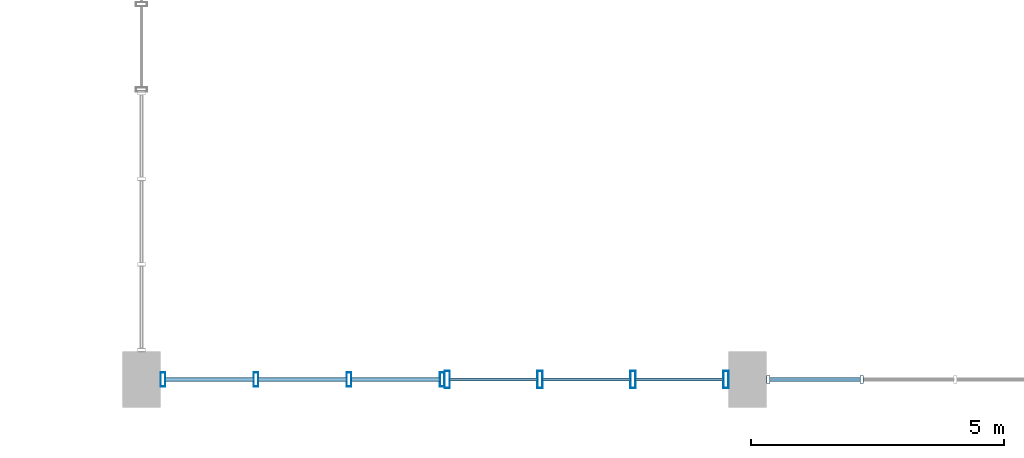
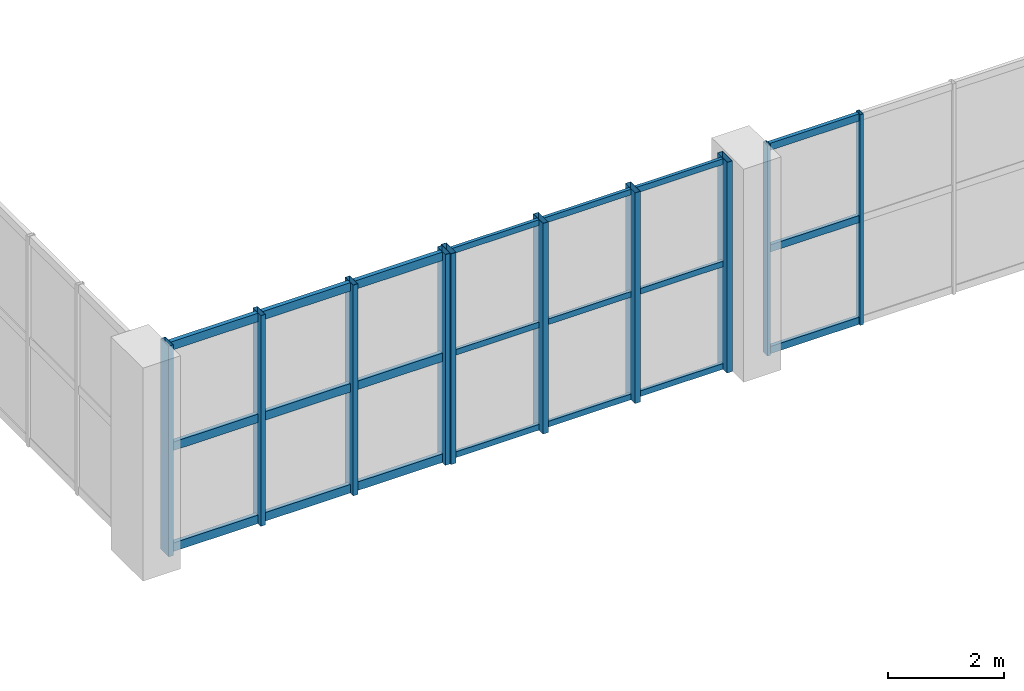
# One storey, part 40 of 80: 31 members, 3 elements without a shape of their own.
"""IFC4 building model written with IfcOpenShell, lengths in metres."""

from ifc_helpers import new_model, si_unit, direction, frame, origin, origin_2d, place, context, subcontext, project, spatial, hollow_rectangle, extrude, material, layer, layer_set, material_profile, profile_set, type_object, element, aggregate, save


model = new_model("IFC4")

# Units and contexts
model_context = context("Model", 3, precision=1e-05, world=origin(), true_north=direction((0.0, 1.0)))
body_context = subcontext(model_context, "Body", "Model", "MODEL_VIEW")
ifc_project = project(units=[si_unit("LENGTHUNIT", "METRE"), si_unit("AREAUNIT", "SQUARE_METRE"), si_unit("VOLUMEUNIT", "CUBIC_METRE"), si_unit("PLANEANGLEUNIT", "RADIAN"), si_unit("MASSUNIT", "GRAM", prefix="KILO"), si_unit("POWERUNIT", "WATT"), si_unit("THERMODYNAMICTEMPERATUREUNIT", "KELVIN")], contexts=[model_context])

# Site, building, storey
site_placement = place(None, origin())
site = spatial("IfcSite", under=ifc_project, at=site_placement, CompositionType="ELEMENT")
building_placement = place(site_placement, origin())
building = spatial("IfcBuilding", under=site, at=building_placement, Name="Kelmbourne Parkland Aquatics Centre", CompositionType="ELEMENT")
storey_placement = place(building_placement, frame((0.0, 0.0, 10.199951171875)))
storey = spatial("IfcBuildingStorey", under=building, at=storey_placement, Name="L02", CompositionType="ELEMENT", Elevation=10.199951171875)

# Curtain wall, members
ifc_material = material(Name="Thermally broken anodised aluminium framing", Category="aluminium")
ifc_layer_1 = layer(ifc_material, 0.179931640625)
ifc_layer_set_1 = layer_set([ifc_layer_1], Name="Thermally broken anodised aluminium framing")
curtain_wall_type_1 = type_object("IfcCurtainWallType", Name="CW-19", PredefinedType="NOTDEFINED", material=ifc_layer_set_1)
curtain_wall_1_placement = place(storey_placement, origin())
curtain_wall_1 = element("IfcCurtainWall", 1, at=curtain_wall_1_placement, inside=storey, type_object=curtain_wall_type_1, Name="Wave-hall clerestory curtain wall CW-L02-115", PredefinedType="NOTDEFINED")
ifc_material_profile_1 = material_profile(ifc_material, hollow_rectangle(XDim=0.06494140625, YDim=0.14990234375, WallThickness=0.00390625, at=origin_2d()), Name="CW-M 65x150")
ifc_profile_set_1 = profile_set([ifc_material_profile_1], Name="Thermally broken anodised aluminium framing")
member_type_1 = type_object("IfcMemberType", Name="MB-MUL-1", PredefinedType="MULLION", material=ifc_profile_set_1)
member_1_placement = place(storey_placement, frame((140.409423828125, 0.800048828125, 0.0), z_axis=(0.0, 0.0, 1.0), x_axis=(1.0, 0.0, 0.0)))
member_1 = element("IfcMember", 2, at=member_1_placement, type_object=member_type_1, Name="CW-L02-115 mullion 0", PredefinedType="MULLION", context=body_context, shape_type="SweptSolid", body=[
    extrude(hollow_rectangle(XDim=0.06494140625, YDim=0.14990234375, WallThickness=0.00390625, at=origin_2d()), origin(), (0.0, 0.0, 1.0), 4.449951171875),
])
member_2_placement = place(storey_placement, frame((142.26220703125, 0.800048828125, 0.0), z_axis=(0.0, 0.0, 1.0), x_axis=(1.0, 0.0, 0.0)))
member_2 = element("IfcMember", 3, at=member_2_placement, type_object=member_type_1, Name="CW-L02-115 mullion 1", PredefinedType="MULLION", context=body_context, shape_type="SweptSolid", body=[
    extrude(hollow_rectangle(XDim=0.06494140625, YDim=0.14990234375, WallThickness=0.00390625, at=origin_2d()), origin(), (0.0, 0.0, 1.0), 4.449951171875),
])

ifc_layer_2 = layer(ifc_material, 0.179931640625)
ifc_layer_set_2 = layer_set([ifc_layer_2], Name="Thermally broken anodised aluminium framing")
curtain_wall_type_2 = type_object("IfcCurtainWallType", Name="CW-17", PredefinedType="NOTDEFINED", material=ifc_layer_set_2)
curtain_wall_2_placement = place(storey_placement, origin())
curtain_wall_2 = element("IfcCurtainWall", 4, at=curtain_wall_2_placement, inside=storey, type_object=curtain_wall_type_2, Name="Wave-hall clerestory curtain wall CW-L02-113", PredefinedType="NOTDEFINED")
ifc_material_profile_2 = material_profile(ifc_material, hollow_rectangle(XDim=0.094970703125, YDim=0.280029296875, WallThickness=0.005615234375, at=origin_2d()), Name="CW-M 95x280")
ifc_profile_set_2 = profile_set([ifc_material_profile_2], Name="Thermally broken anodised aluminium framing")
member_type_2 = type_object("IfcMemberType", Name="MB-MUL-4", PredefinedType="MULLION", material=ifc_profile_set_2)
member_3_placement = place(storey_placement, frame((128.424560546875, 0.800048828125, 0.0), z_axis=(0.0, 0.0, 1.0), x_axis=(1.0, 0.0, 0.0)))
member_3 = element("IfcMember", 5, at=member_3_placement, type_object=member_type_2, Name="CW-L02-113 mullion 0", PredefinedType="MULLION", context=body_context, shape_type="SweptSolid", body=[
    extrude(hollow_rectangle(XDim=0.094970703125, YDim=0.280029296875, WallThickness=0.005615234375, at=origin_2d()), origin(), (0.0, 0.0, 1.0), 4.449951171875),
])
member_4_placement = place(storey_placement, frame((130.26708984375, 0.800048828125, 0.0), z_axis=(0.0, 0.0, 1.0), x_axis=(1.0, 0.0, 0.0)))
member_4 = element("IfcMember", 6, at=member_4_placement, type_object=member_type_2, Name="CW-L02-113 mullion 1", PredefinedType="MULLION", context=body_context, shape_type="SweptSolid", body=[
    extrude(hollow_rectangle(XDim=0.094970703125, YDim=0.280029296875, WallThickness=0.005615234375, at=origin_2d()), origin(), (0.0, 0.0, 1.0), 4.449951171875),
])
member_5_placement = place(storey_placement, frame((132.10986328125, 0.800048828125, 0.0), z_axis=(0.0, 0.0, 1.0), x_axis=(1.0, 0.0, 0.0)))
member_5 = element("IfcMember", 7, at=member_5_placement, type_object=member_type_2, Name="CW-L02-113 mullion 2", PredefinedType="MULLION", context=body_context, shape_type="SweptSolid", body=[
    extrude(hollow_rectangle(XDim=0.094970703125, YDim=0.280029296875, WallThickness=0.005615234375, at=origin_2d()), origin(), (0.0, 0.0, 1.0), 4.449951171875),
])
member_6_placement = place(storey_placement, frame((133.952392578125, 0.800048828125, 0.0), z_axis=(0.0, 0.0, 1.0), x_axis=(1.0, 0.0, 0.0)))
member_6 = element("IfcMember", 8, at=member_6_placement, type_object=member_type_2, Name="CW-L02-113 mullion 3", PredefinedType="MULLION", context=body_context, shape_type="SweptSolid", body=[
    extrude(hollow_rectangle(XDim=0.094970703125, YDim=0.280029296875, WallThickness=0.005615234375, at=origin_2d()), origin(), (0.0, 0.0, 1.0), 4.449951171875),
])

ifc_layer_3 = layer(ifc_material, 0.179931640625)
ifc_layer_set_3 = layer_set([ifc_layer_3], Name="Thermally broken anodised aluminium framing")
curtain_wall_type_3 = type_object("IfcCurtainWallType", Name="CW-18", PredefinedType="NOTDEFINED", material=ifc_layer_set_3)
curtain_wall_3_placement = place(storey_placement, origin())
curtain_wall_3 = element("IfcCurtainWall", 9, at=curtain_wall_3_placement, inside=storey, type_object=curtain_wall_type_3, Name="Wave-hall clerestory curtain wall CW-L02-114", PredefinedType="NOTDEFINED")
ifc_material_profile_3 = material_profile(ifc_material, hollow_rectangle(XDim=0.10498046875, YDim=0.340087890625, WallThickness=0.006103515625, at=origin_2d()), Name="CW-M 105x340")
ifc_profile_set_3 = profile_set([ifc_material_profile_3], Name="Thermally broken anodised aluminium framing")
member_type_3 = type_object("IfcMemberType", Name="MB-MUL-5", PredefinedType="MULLION", material=ifc_profile_set_3)
member_7_placement = place(storey_placement, frame((134.052490234375, 0.800048828125, 0.0), z_axis=(0.0, 0.0, 1.0), x_axis=(1.0, 0.0, 0.0)))
member_7 = element("IfcMember", 10, at=member_7_placement, type_object=member_type_3, Name="CW-L02-114 mullion 0", PredefinedType="MULLION", context=body_context, shape_type="SweptSolid", body=[
    extrude(hollow_rectangle(XDim=0.10498046875, YDim=0.340087890625, WallThickness=0.006103515625, at=origin_2d()), origin(), (0.0, 0.0, 1.0), 4.449951171875),
])
member_8_placement = place(storey_placement, frame((135.891845703125, 0.800048828125, 0.0), z_axis=(0.0, 0.0, 1.0), x_axis=(1.0, 0.0, 0.0)))
member_8 = element("IfcMember", 11, at=member_8_placement, type_object=member_type_3, Name="CW-L02-114 mullion 1", PredefinedType="MULLION", context=body_context, shape_type="SweptSolid", body=[
    extrude(hollow_rectangle(XDim=0.10498046875, YDim=0.340087890625, WallThickness=0.006103515625, at=origin_2d()), origin(), (0.0, 0.0, 1.0), 4.449951171875),
])
member_9_placement = place(storey_placement, frame((137.731201171875, 0.800048828125, 0.0), z_axis=(0.0, 0.0, 1.0), x_axis=(1.0, 0.0, 0.0)))
member_9 = element("IfcMember", 12, at=member_9_placement, type_object=member_type_3, Name="CW-L02-114 mullion 2", PredefinedType="MULLION", context=body_context, shape_type="SweptSolid", body=[
    extrude(hollow_rectangle(XDim=0.10498046875, YDim=0.340087890625, WallThickness=0.006103515625, at=origin_2d()), origin(), (0.0, 0.0, 1.0), 4.449951171875),
])
member_10_placement = place(storey_placement, frame((139.570556640625, 0.800048828125, 0.0), z_axis=(0.0, 0.0, 1.0), x_axis=(1.0, 0.0, 0.0)))
member_10 = element("IfcMember", 13, at=member_10_placement, type_object=member_type_3, Name="CW-L02-114 mullion 3", PredefinedType="MULLION", context=body_context, shape_type="SweptSolid", body=[
    extrude(hollow_rectangle(XDim=0.10498046875, YDim=0.340087890625, WallThickness=0.006103515625, at=origin_2d()), origin(), (0.0, 0.0, 1.0), 4.449951171875),
])
ifc_material_profile_4 = material_profile(ifc_material, hollow_rectangle(XDim=0.06494140625, YDim=0.1201171875, WallThickness=0.00341796875, at=origin_2d()), Name="CW-T 65x120")
ifc_profile_set_4 = profile_set([ifc_material_profile_4], Name="Thermally broken anodised aluminium framing")
member_type_4 = type_object("IfcMemberType", Name="MB-TRN-1", PredefinedType="USERDEFINED", material=ifc_profile_set_4)
member_11_placement = place(storey_placement, frame((134.10107421875, 0.800048828125, 0.06298828125), z_axis=(1.0, 0.0, 0.0), x_axis=(0.0, 1.0, 0.0)))
member_11 = element("IfcMember", 14, at=member_11_placement, type_object=member_type_4, Name="CW-L02-114 transom 0-0", ObjectType="TRANSOM", PredefinedType="USERDEFINED", context=body_context, shape_type="SweptSolid", body=[
    extrude(hollow_rectangle(XDim=0.06494140625, YDim=0.1201171875, WallThickness=0.00341796875, at=origin_2d()), origin(), (0.0, 0.0, 1.0), 1.7421875),
])
member_12_placement = place(storey_placement, frame((135.940185546875, 0.800048828125, 0.06298828125), z_axis=(1.0, 0.0, 0.0), x_axis=(0.0, 1.0, 0.0)))
member_12 = element("IfcMember", 15, at=member_12_placement, type_object=member_type_4, Name="CW-L02-114 transom 0-1", ObjectType="TRANSOM", PredefinedType="USERDEFINED", context=body_context, shape_type="SweptSolid", body=[
    extrude(hollow_rectangle(XDim=0.06494140625, YDim=0.1201171875, WallThickness=0.00341796875, at=origin_2d()), origin(), (0.0, 0.0, 1.0), 1.742431640625),
])
member_13_placement = place(storey_placement, frame((137.77978515625, 0.800048828125, 0.06298828125), z_axis=(1.0, 0.0, 0.0), x_axis=(0.0, 1.0, 0.0)))
member_13 = element("IfcMember", 16, at=member_13_placement, type_object=member_type_4, Name="CW-L02-114 transom 0-2", ObjectType="TRANSOM", PredefinedType="USERDEFINED", context=body_context, shape_type="SweptSolid", body=[
    extrude(hollow_rectangle(XDim=0.06494140625, YDim=0.1201171875, WallThickness=0.00341796875, at=origin_2d()), origin(), (0.0, 0.0, 1.0), 1.7421875),
])
member_14_placement = place(storey_placement, frame((134.10107421875, 0.800048828125, 2.22509765625), z_axis=(1.0, 0.0, 0.0), x_axis=(0.0, 1.0, 0.0)))
member_14 = element("IfcMember", 17, at=member_14_placement, type_object=member_type_4, Name="CW-L02-114 transom 1-0", ObjectType="TRANSOM", PredefinedType="USERDEFINED", context=body_context, shape_type="SweptSolid", body=[
    extrude(hollow_rectangle(XDim=0.06494140625, YDim=0.1201171875, WallThickness=0.00341796875, at=origin_2d()), origin(), (0.0, 0.0, 1.0), 1.7421875),
])
member_15_placement = place(storey_placement, frame((135.940185546875, 0.800048828125, 2.22509765625), z_axis=(1.0, 0.0, 0.0), x_axis=(0.0, 1.0, 0.0)))
member_15 = element("IfcMember", 18, at=member_15_placement, type_object=member_type_4, Name="CW-L02-114 transom 1-1", ObjectType="TRANSOM", PredefinedType="USERDEFINED", context=body_context, shape_type="SweptSolid", body=[
    extrude(hollow_rectangle(XDim=0.06494140625, YDim=0.1201171875, WallThickness=0.00341796875, at=origin_2d()), origin(), (0.0, 0.0, 1.0), 1.742431640625),
])
member_16_placement = place(storey_placement, frame((137.77978515625, 0.800048828125, 2.22509765625), z_axis=(1.0, 0.0, 0.0), x_axis=(0.0, 1.0, 0.0)))
member_16 = element("IfcMember", 19, at=member_16_placement, type_object=member_type_4, Name="CW-L02-114 transom 1-2", ObjectType="TRANSOM", PredefinedType="USERDEFINED", context=body_context, shape_type="SweptSolid", body=[
    extrude(hollow_rectangle(XDim=0.06494140625, YDim=0.1201171875, WallThickness=0.00341796875, at=origin_2d()), origin(), (0.0, 0.0, 1.0), 1.7421875),
])
member_17_placement = place(storey_placement, frame((134.10107421875, 0.800048828125, 4.386962890625), z_axis=(1.0, 0.0, 0.0), x_axis=(0.0, 1.0, 0.0)))
member_17 = element("IfcMember", 20, at=member_17_placement, type_object=member_type_4, Name="CW-L02-114 transom 2-0", ObjectType="TRANSOM", PredefinedType="USERDEFINED", context=body_context, shape_type="SweptSolid", body=[
    extrude(hollow_rectangle(XDim=0.06494140625, YDim=0.1201171875, WallThickness=0.00341796875, at=origin_2d()), origin(), (0.0, 0.0, 1.0), 1.7421875),
])
member_18_placement = place(storey_placement, frame((135.940185546875, 0.800048828125, 4.386962890625), z_axis=(1.0, 0.0, 0.0), x_axis=(0.0, 1.0, 0.0)))
member_18 = element("IfcMember", 21, at=member_18_placement, type_object=member_type_4, Name="CW-L02-114 transom 2-1", ObjectType="TRANSOM", PredefinedType="USERDEFINED", context=body_context, shape_type="SweptSolid", body=[
    extrude(hollow_rectangle(XDim=0.06494140625, YDim=0.1201171875, WallThickness=0.00341796875, at=origin_2d()), origin(), (0.0, 0.0, 1.0), 1.742431640625),
])
member_19_placement = place(storey_placement, frame((137.77978515625, 0.800048828125, 4.386962890625), z_axis=(1.0, 0.0, 0.0), x_axis=(0.0, 1.0, 0.0)))
member_19 = element("IfcMember", 22, at=member_19_placement, type_object=member_type_4, Name="CW-L02-114 transom 2-2", ObjectType="TRANSOM", PredefinedType="USERDEFINED", context=body_context, shape_type="SweptSolid", body=[
    extrude(hollow_rectangle(XDim=0.06494140625, YDim=0.1201171875, WallThickness=0.00341796875, at=origin_2d()), origin(), (0.0, 0.0, 1.0), 1.7421875),
])
aggregate(curtain_wall_3, [member_7, member_8, member_9, member_10, member_11, member_12, member_13, member_14, member_15, member_16, member_17, member_18, member_19])

# Member
ifc_material_profile_5 = material_profile(ifc_material, hollow_rectangle(XDim=0.074951171875, YDim=0.14990234375, WallThickness=0.00390625, at=origin_2d()), Name="CW-T 75x150")
ifc_profile_set_5 = profile_set([ifc_material_profile_5], Name="Thermally broken anodised aluminium framing")
member_type_5 = type_object("IfcMemberType", Name="MB-TRN-2", PredefinedType="USERDEFINED", material=ifc_profile_set_5)
member_20_placement = place(storey_placement, frame((140.43798828125, 0.800048828125, 0.078125), z_axis=(1.0, 0.0, 0.0), x_axis=(0.0, 1.0, 0.0)))
member_20 = element("IfcMember", 23, at=member_20_placement, type_object=member_type_5, Name="CW-L02-115 transom 0-0", ObjectType="TRANSOM", PredefinedType="USERDEFINED", context=body_context, shape_type="SweptSolid", body=[
    extrude(hollow_rectangle(XDim=0.074951171875, YDim=0.14990234375, WallThickness=0.00390625, at=origin_2d()), origin(), (0.0, 0.0, 1.0), 1.795654296875),
])

member_21_placement = place(storey_placement, frame((140.43798828125, 0.800048828125, 2.22509765625), z_axis=(1.0, 0.0, 0.0), x_axis=(0.0, 1.0, 0.0)))
member_21 = element("IfcMember", 24, at=member_21_placement, type_object=member_type_5, Name="CW-L02-115 transom 1-0", ObjectType="TRANSOM", PredefinedType="USERDEFINED", context=body_context, shape_type="SweptSolid", body=[
    extrude(hollow_rectangle(XDim=0.074951171875, YDim=0.14990234375, WallThickness=0.00390625, at=origin_2d()), origin(), (0.0, 0.0, 1.0), 1.795654296875),
])

member_22_placement = place(storey_placement, frame((140.43798828125, 0.800048828125, 4.3720703125), z_axis=(1.0, 0.0, 0.0), x_axis=(0.0, 1.0, 0.0)))
member_22 = element("IfcMember", 25, at=member_22_placement, type_object=member_type_5, Name="CW-L02-115 transom 2-0", ObjectType="TRANSOM", PredefinedType="USERDEFINED", context=body_context, shape_type="SweptSolid", body=[
    extrude(hollow_rectangle(XDim=0.074951171875, YDim=0.14990234375, WallThickness=0.00390625, at=origin_2d()), origin(), (0.0, 0.0, 1.0), 1.795654296875),
])

aggregate(curtain_wall_1, [member_1, member_2, member_20, member_21, member_22])

ifc_material_profile_6 = material_profile(ifc_material, hollow_rectangle(XDim=0.0849609375, YDim=0.179931640625, WallThickness=0.00439453125, at=origin_2d()), Name="CW-T 85x180")
ifc_profile_set_6 = profile_set([ifc_material_profile_6], Name="Thermally broken anodised aluminium framing")
member_type_6 = type_object("IfcMemberType", Name="MB-TRN-3", PredefinedType="USERDEFINED", material=ifc_profile_set_6)
member_23_placement = place(storey_placement, frame((128.468017578125, 0.800048828125, 0.093017578125), z_axis=(1.0, 0.0, 0.0), x_axis=(0.0, 1.0, 0.0)))
member_23 = element("IfcMember", 26, at=member_23_placement, type_object=member_type_6, Name="CW-L02-113 transom 0-0", ObjectType="TRANSOM", PredefinedType="USERDEFINED", context=body_context, shape_type="SweptSolid", body=[
    extrude(hollow_rectangle(XDim=0.0849609375, YDim=0.179931640625, WallThickness=0.00439453125, at=origin_2d()), origin(), (0.0, 0.0, 1.0), 1.755615234375),
])

member_24_placement = place(storey_placement, frame((130.310791015625, 0.800048828125, 0.093017578125), z_axis=(1.0, 0.0, 0.0), x_axis=(0.0, 1.0, 0.0)))
member_24 = element("IfcMember", 27, at=member_24_placement, type_object=member_type_6, Name="CW-L02-113 transom 0-1", ObjectType="TRANSOM", PredefinedType="USERDEFINED", context=body_context, shape_type="SweptSolid", body=[
    extrude(hollow_rectangle(XDim=0.0849609375, YDim=0.179931640625, WallThickness=0.00439453125, at=origin_2d()), origin(), (0.0, 0.0, 1.0), 1.755615234375),
])

member_25_placement = place(storey_placement, frame((132.1533203125, 0.800048828125, 0.093017578125), z_axis=(1.0, 0.0, 0.0), x_axis=(0.0, 1.0, 0.0)))
member_25 = element("IfcMember", 28, at=member_25_placement, type_object=member_type_6, Name="CW-L02-113 transom 0-2", ObjectType="TRANSOM", PredefinedType="USERDEFINED", context=body_context, shape_type="SweptSolid", body=[
    extrude(hollow_rectangle(XDim=0.0849609375, YDim=0.179931640625, WallThickness=0.00439453125, at=origin_2d()), origin(), (0.0, 0.0, 1.0), 1.755615234375),
])

member_26_placement = place(storey_placement, frame((128.468017578125, 0.800048828125, 2.22509765625), z_axis=(1.0, 0.0, 0.0), x_axis=(0.0, 1.0, 0.0)))
member_26 = element("IfcMember", 29, at=member_26_placement, type_object=member_type_6, Name="CW-L02-113 transom 1-0", ObjectType="TRANSOM", PredefinedType="USERDEFINED", context=body_context, shape_type="SweptSolid", body=[
    extrude(hollow_rectangle(XDim=0.0849609375, YDim=0.179931640625, WallThickness=0.00439453125, at=origin_2d()), origin(), (0.0, 0.0, 1.0), 1.755615234375),
])

member_27_placement = place(storey_placement, frame((130.310791015625, 0.800048828125, 2.22509765625), z_axis=(1.0, 0.0, 0.0), x_axis=(0.0, 1.0, 0.0)))
member_27 = element("IfcMember", 30, at=member_27_placement, type_object=member_type_6, Name="CW-L02-113 transom 1-1", ObjectType="TRANSOM", PredefinedType="USERDEFINED", context=body_context, shape_type="SweptSolid", body=[
    extrude(hollow_rectangle(XDim=0.0849609375, YDim=0.179931640625, WallThickness=0.00439453125, at=origin_2d()), origin(), (0.0, 0.0, 1.0), 1.755615234375),
])

member_28_placement = place(storey_placement, frame((132.1533203125, 0.800048828125, 2.22509765625), z_axis=(1.0, 0.0, 0.0), x_axis=(0.0, 1.0, 0.0)))
member_28 = element("IfcMember", 31, at=member_28_placement, type_object=member_type_6, Name="CW-L02-113 transom 1-2", ObjectType="TRANSOM", PredefinedType="USERDEFINED", context=body_context, shape_type="SweptSolid", body=[
    extrude(hollow_rectangle(XDim=0.0849609375, YDim=0.179931640625, WallThickness=0.00439453125, at=origin_2d()), origin(), (0.0, 0.0, 1.0), 1.755615234375),
])

member_29_placement = place(storey_placement, frame((128.468017578125, 0.800048828125, 4.35693359375), z_axis=(1.0, 0.0, 0.0), x_axis=(0.0, 1.0, 0.0)))
member_29 = element("IfcMember", 32, at=member_29_placement, type_object=member_type_6, Name="CW-L02-113 transom 2-0", ObjectType="TRANSOM", PredefinedType="USERDEFINED", context=body_context, shape_type="SweptSolid", body=[
    extrude(hollow_rectangle(XDim=0.0849609375, YDim=0.179931640625, WallThickness=0.00439453125, at=origin_2d()), origin(), (0.0, 0.0, 1.0), 1.755615234375),
])

member_30_placement = place(storey_placement, frame((130.310791015625, 0.800048828125, 4.35693359375), z_axis=(1.0, 0.0, 0.0), x_axis=(0.0, 1.0, 0.0)))
member_30 = element("IfcMember", 33, at=member_30_placement, type_object=member_type_6, Name="CW-L02-113 transom 2-1", ObjectType="TRANSOM", PredefinedType="USERDEFINED", context=body_context, shape_type="SweptSolid", body=[
    extrude(hollow_rectangle(XDim=0.0849609375, YDim=0.179931640625, WallThickness=0.00439453125, at=origin_2d()), origin(), (0.0, 0.0, 1.0), 1.755615234375),
])

member_31_placement = place(storey_placement, frame((132.1533203125, 0.800048828125, 4.35693359375), z_axis=(1.0, 0.0, 0.0), x_axis=(0.0, 1.0, 0.0)))
member_31 = element("IfcMember", 34, at=member_31_placement, type_object=member_type_6, Name="CW-L02-113 transom 2-2", ObjectType="TRANSOM", PredefinedType="USERDEFINED", context=body_context, shape_type="SweptSolid", body=[
    extrude(hollow_rectangle(XDim=0.0849609375, YDim=0.179931640625, WallThickness=0.00439453125, at=origin_2d()), origin(), (0.0, 0.0, 1.0), 1.755615234375),
])

aggregate(curtain_wall_2, [member_3, member_4, member_5, member_6, member_23, member_24, member_25, member_26, member_27, member_28, member_29, member_30, member_31])

save(model, "model.ifc")
